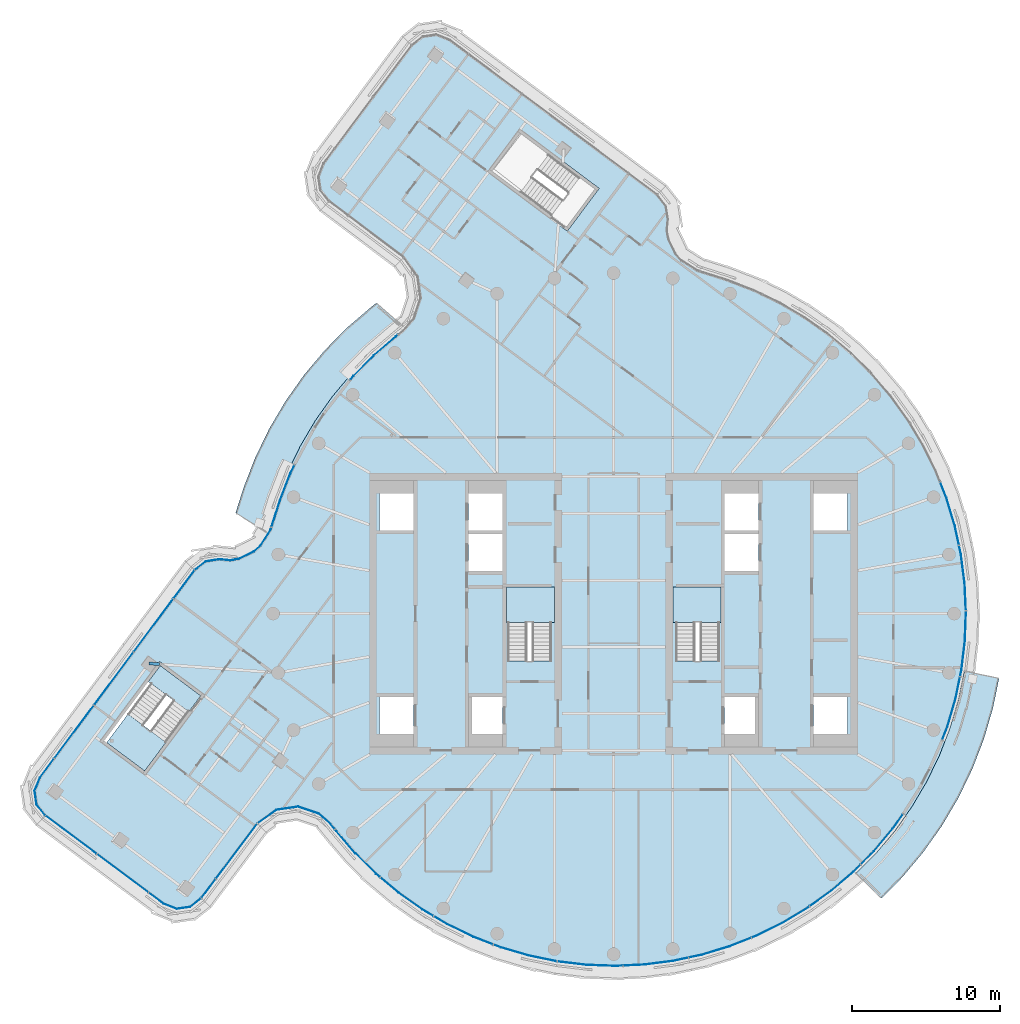
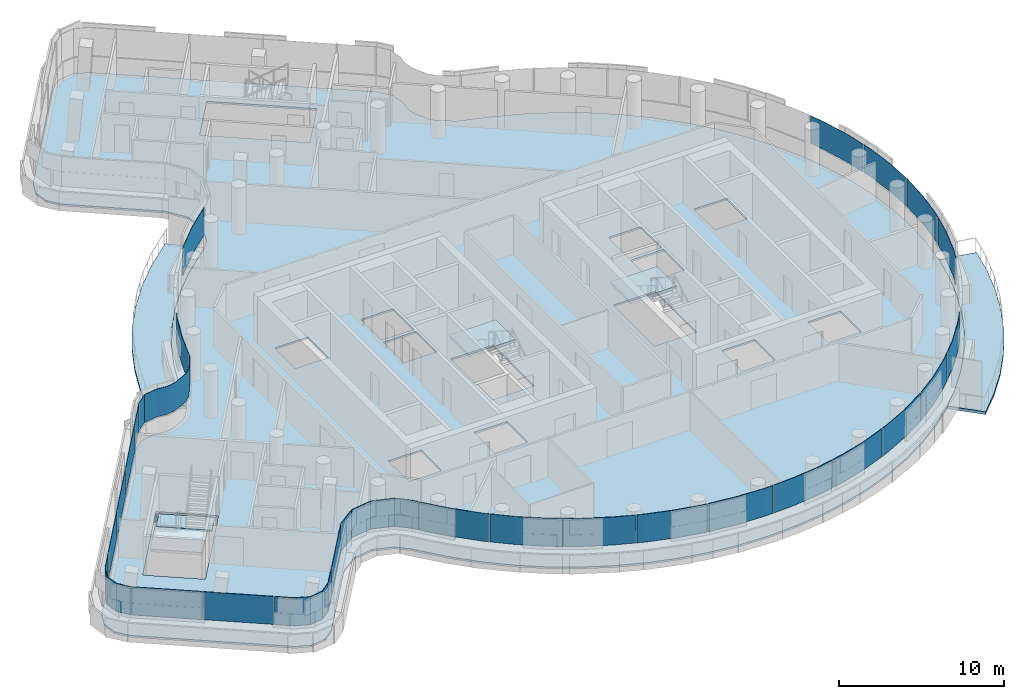
# One storey, part 15 of 27: 28 plates, 7 slabs, 1 beam, 8 elements without a shape of their own.
"""IFC4 building model written with IfcOpenShell, lengths in metres."""

from ifc_helpers import new_model, si_unit, direction, frame, origin, origin_2d, place, context, subcontext, project, spatial, polyline, i_section, outline, extrude, material, layer, layer_set, material_profile, profile_set, type_object, element, aggregate, save


model = new_model("IFC4")

# Units and contexts
model_context = context("Model", 3, precision=1e-05, world=origin(), true_north=direction((0.0, 1.0)))
body_context = subcontext(model_context, "Body", "Model", "MODEL_VIEW")
ifc_project = project(units=[si_unit("LENGTHUNIT", "METRE"), si_unit("AREAUNIT", "SQUARE_METRE"), si_unit("VOLUMEUNIT", "CUBIC_METRE"), si_unit("PLANEANGLEUNIT", "RADIAN"), si_unit("MASSUNIT", "GRAM", prefix="KILO")], contexts=[model_context])

# Site, building, storey
site_placement = place(None, origin())
site = spatial("IfcSite", under=ifc_project, at=site_placement, CompositionType="ELEMENT")
building_placement = place(site_placement, origin())
building = spatial("IfcBuilding", under=site, at=building_placement, Name="Tamarind Cross Interchange Tower", CompositionType="ELEMENT")
storey_placement = place(building_placement, frame((0.0, 0.0, 227.10009765625)))
storey = spatial("IfcBuildingStorey", under=building, at=storey_placement, Name="L57", CompositionType="ELEMENT", Elevation=227.10009765625)

# Beam
ifc_material_1 = material(Name="Steel Q355B", Category="steel")
ifc_material_profile = material_profile(ifc_material_1, i_section(OverallWidth=0.198974609375, OverallDepth=0.446044921875, WebThickness=0.008056640625, FlangeThickness=0.011962890625, FilletRadius=0.012939453125, at=origin_2d()), Name="HN 446x199x8x12")
ifc_profile_set = profile_set([ifc_material_profile], Name="Steel Q355B")
beam_type = type_object("IfcBeamType", Name="Composite beam HN 446x199x8x12 Q355B", PredefinedType="BEAM", material=ifc_profile_set)
beam_placement = place(storey_placement, frame((-31.370849609375, -3.365234375, -0.363037109375), z_axis=(0.997390840219, -0.072190801682, 0.0), x_axis=(0.072190801682, 0.997390840219, 0.0)))
element("IfcBeam", 1, at=beam_placement, inside=storey, type_object=beam_type, Name="Beam W-linkemt0", PredefinedType="BEAM", context=body_context, shape_type="SweptSolid", body=[
    extrude(i_section(OverallWidth=0.198974609375, OverallDepth=0.446044921875, WebThickness=0.008056640625, FlangeThickness=0.011962890625, FilletRadius=0.012939453125, at=origin_2d()), origin(), (0.0, 0.0, 1.0), 0.717041015625),
])

# Slabs
ifc_material_2 = material(Name="Precast concrete C40", Category="concrete")
ifc_layer_1 = layer(ifc_material_2, 0.199951171875)
ifc_layer_set_1 = layer_set([ifc_layer_1], Name="Precast concrete C40")
slab_type_1 = type_object("IfcSlabType", Name="Balcony slab", PredefinedType="BASESLAB", material=ifc_layer_set_1)
slab_1_placement = place(storey_placement, frame((0.0, 0.0, -0.2001953125)))
element("IfcSlab", 2, at=slab_1_placement, inside=storey, type_object=slab_type_1, Name="SLB-L57-BAL02", PredefinedType="BASESLAB", context=body_context, shape_type="SweptSolid", body=[
    extrude(outline(polyline([(16.37939453125, -17.5322265625), (17.72412109375, -16.17578125), (18.99951171875, -14.656982421875), (20.14501953125, -13.0380859375), (21.15283203125, -11.329833984375), (22.01611328125, -9.54443359375), (22.72900390625, -7.69384765625), (23.286865234375, -5.79052734375), (23.677001953125, -3.88916015625), (26.028076171875, -4.37158203125), (25.617919921875, -6.3701171875), (25.00439453125, -8.4638671875), (24.219970703125, -10.499755859375), (23.270263671875, -12.464111328125), (22.161376953125, -14.343017578125), (20.9013671875, -16.124267578125), (19.498291015625, -17.795166015625), (18.083740234375, -19.221923828125), (16.37939453125, -17.5322265625)])), origin(), (0.0, 0.0, 1.0), 0.2001953125),
])
slab_2_placement = place(storey_placement, frame((0.0, 0.0, -0.2001953125)))
element("IfcSlab", 3, at=slab_2_placement, inside=storey, type_object=slab_type_1, Name="SLB-L57-BAL06", PredefinedType="BASESLAB", context=body_context, shape_type="SweptSolid", body=[
    extrude(outline(polyline([(-14.216796875, 19.411376953125), (-14.36376953125, 19.242431640625), (-14.820068359375, 18.87255859375), (-16.327880859375, 17.584228515625), (-17.72412109375, 16.17578125), (-18.99951171875, 14.656982421875), (-20.14501953125, 13.0380859375), (-21.15283203125, 11.329833984375), (-22.01611328125, 9.54443359375), (-22.72900390625, 7.694091796875), (-23.34619140625, 5.749755859375), (-23.489990234375, 5.523193359375), (-25.51611328125, 6.809326171875), (-25.539306640625, 6.772705078125), (-24.99462890625, 8.4892578125), (-24.219970703125, 10.499755859375), (-23.270263671875, 12.464111328125), (-22.161376953125, 14.343017578125), (-20.9013671875, 16.124267578125), (-19.498291015625, 17.795166015625), (-17.96240234375, 19.344482421875), (-16.35546875, 20.71728515625), (-16.03759765625, 20.97509765625), (-16.028076171875, 20.986083984375), (-14.216796875, 19.411376953125)])), origin(), (0.0, 0.0, 1.0), 0.2001953125),
])
ifc_material_3 = material(Name="Concrete C35", Category="concrete")
ifc_layer_2 = layer(ifc_material_3, 0.139892578125)
ifc_layer_set_2 = layer_set([ifc_layer_2], Name="Concrete C35")
slab_type_2 = type_object("IfcSlabType", Name="Composite slab 140 Concrete C35", PredefinedType="FLOOR", material=ifc_layer_set_2)
slab_3_placement = place(storey_placement, frame((0.0, 0.0, -0.14013671875)))
element("IfcSlab", 4, at=slab_3_placement, inside=storey, type_object=slab_type_2, Name="Floor slab L57", PredefinedType="FLOOR", context=body_context, shape_type="SweptSolid", body=[
    extrude(outline(polyline([(-27.6396484375, 3.711181640625), (-28.4384765625, 3.07568359375), (-38.92529296875, -10.9853515625), (-39.30810546875, -11.947265625), (-39.158935546875, -12.9716796875), (-38.517578125, -13.7841796875), (-30.50146484375, -19.7626953125), (-29.53955078125, -20.145751953125), (-28.51513671875, -19.99658203125), (-27.702392578125, -19.35498046875), (-23.90966796875, -14.315185546875), (-22.6962890625, -13.443115234375), (-21.3349609375, -13.24169921875), (-20.0302734375, -13.678955078125), (-19.242431640625, -14.36376953125), (-18.87255859375, -14.820068359375), (-17.584228515625, -16.327880859375), (-16.17578125, -17.72412109375), (-14.656982421875, -18.99951171875), (-13.0380859375, -20.14501953125), (-11.329833984375, -21.15283203125), (-9.54443359375, -22.01611328125), (-7.693603515625, -22.72900390625), (-5.79052734375, -23.286865234375), (-3.84765625, -23.685546875), (-1.878662109375, -23.92236328125), (0.103271484375, -23.99560546875), (2.08447265625, -23.9052734375), (4.051513671875, -23.651611328125), (5.99072265625, -23.236083984375), (7.88916015625, -22.662109375), (9.7333984375, -21.93310546875), (11.511474609375, -21.054443359375), (13.2109375, -20.031982421875), (14.820068359375, -18.87255859375), (16.327880859375, -17.584228515625), (17.72412109375, -16.17578125), (18.99951171875, -14.656982421875), (20.14501953125, -13.0380859375), (21.15283203125, -11.329833984375), (22.01611328125, -9.54443359375), (22.72900390625, -7.693603515625), (23.286865234375, -5.79052734375), (23.685546875, -3.84765625), (23.92236328125, -1.878662109375), (23.99560546875, 0.103271484375), (23.9052734375, 2.08447265625), (23.651611328125, 4.051513671875), (23.236083984375, 5.99072265625), (22.662109375, 7.88916015625), (21.93310546875, 9.7333984375), (21.054443359375, 11.511474609375), (20.031982421875, 13.2109375), (18.87255859375, 14.820068359375), (17.584228515625, 16.327880859375), (16.17578125, 17.72412109375), (14.656982421875, 18.99951171875), (13.0380859375, 20.14501953125), (11.329833984375, 21.15283203125), (9.54443359375, 22.01611328125), (7.694091796875, 22.72900390625), (5.74951171875, 23.34619140625), (4.71728515625, 24.00146484375), (4.360595703125, 24.4013671875), (3.88818359375, 25.37548828125), (3.795166015625, 25.9033203125), (3.86962890625, 26.631103515625), (3.711181640625, 27.6396484375), (3.07568359375, 28.4384765625), (-10.9853515625, 38.92529296875), (-11.947265625, 39.30810546875), (-12.9716796875, 39.158935546875), (-13.7841796875, 38.517578125), (-19.7626953125, 30.50146484375), (-20.145751953125, 29.53955078125), (-19.99658203125, 28.51513671875), (-19.35498046875, 27.702392578125), (-14.315185546875, 23.90966796875), (-13.443115234375, 22.6962890625), (-13.24169921875, 21.3349609375), (-13.678955078125, 20.0302734375), (-14.36376953125, 19.242431640625), (-14.820068359375, 18.87255859375), (-16.327880859375, 17.584228515625), (-17.72412109375, 16.17578125), (-18.99951171875, 14.656982421875), (-20.14501953125, 13.0380859375), (-21.15283203125, 11.329833984375), (-22.01611328125, 9.54443359375), (-22.72900390625, 7.694091796875), (-23.34619140625, 5.74951171875), (-24.00146484375, 4.71728515625), (-24.4013671875, 4.360595703125), (-25.37548828125, 3.88818359375), (-25.9033203125, 3.795166015625), (-26.631103515625, 3.86962890625), (-27.6396484375, 3.711181640625)]), holes=[polyline([(-34.684814453125, -8.62841796875), (-30.658203125, -3.229248046875), (-30.497802734375, -3.348876953125), (-27.764404296875, -5.387451171875), (-27.60400390625, -5.507080078125), (-31.630615234375, -10.906005859375), (-31.791015625, -10.78662109375), (-34.5244140625, -8.747802734375), (-34.684814453125, -8.62841796875)]), polyline([(-13.5, -8.125), (-15.800048828125, -8.125), (-15.800048828125, -5.625), (-13.5, -5.625), (-13.5, -8.125)]), polyline([(-7.5, -8.125), (-9.800048828125, -8.125), (-9.800048828125, -5.625), (-7.5, -5.625), (-7.5, -8.125)]), polyline([(-7.5, 2.875), (-9.800048828125, 2.875), (-9.800048828125, 5.375), (-7.5, 5.375), (-7.5, 2.875)]), polyline([(-13.5, 8.125), (-13.5, 5.625), (-15.800048828125, 5.625), (-15.800048828125, 8.125), (-13.5, 8.125)]), polyline([(-7.5, 5.625), (-9.800048828125, 5.625), (-9.800048828125, 8.125), (-7.5, 8.125), (-7.5, 5.625)]), polyline([(-5.8876953125, 32.37890625), (-0.97802734375, 28.71728515625), (-1.09765625, 28.55712890625), (-3.0107421875, 25.991943359375), (-3.13037109375, 25.83154296875), (-8.501220703125, 29.837158203125), (-8.381591796875, 29.997314453125), (-6.468505859375, 32.5625), (-6.34912109375, 32.722900390625), (-6.1201171875, 32.552001953125), (-6.11669921875, 32.556396484375), (-5.8876953125, 32.37890625)]), polyline([(7.5, -8.125), (7.5, -5.625), (9.800048828125, -5.625), (9.800048828125, -8.125), (7.5, -8.125)]), polyline([(13.5, -8.125), (13.5, -5.625), (15.800048828125, -5.625), (15.800048828125, -8.125), (13.5, -8.125)]), polyline([(-7.14990234375, 1.800048828125), (-4.199951171875, 1.800048828125), (-4.199951171875, -3.18798828125), (-7.14990234375, -3.18798828125), (-7.14990234375, 1.800048828125)]), polyline([(7.14990234375, 1.800048828125), (7.14990234375, -3.18798828125), (4.199951171875, -3.18798828125), (4.199951171875, 1.800048828125), (7.14990234375, 1.800048828125)]), polyline([(7.5, 5.375), (9.800048828125, 5.375), (9.800048828125, 2.875), (7.5, 2.875), (7.5, 5.375)]), polyline([(7.5, 5.625), (7.5, 8.125), (9.800048828125, 8.125), (9.800048828125, 5.625), (7.5, 5.625)]), polyline([(13.5, 8.125), (15.800048828125, 8.125), (15.800048828125, 5.625), (13.5, 5.625), (13.5, 8.125)])]), origin(), (0.0, 0.0, 1.0), 0.14013671875),
])
slab_4_placement = place(storey_placement, frame((0.0, 0.0, -0.14013671875)))
element("IfcSlab", 5, at=slab_4_placement, inside=storey, type_object=slab_type_2, Name="Floor slab L57", PredefinedType="FLOOR", context=body_context, shape_type="SweptSolid", body=[
    extrude(outline(polyline([(-27.8837890625, -5.547607421875), (-30.617431640625, -3.509033203125), (-31.4228515625, -4.589111328125), (-28.689208984375, -6.627685546875), (-27.8837890625, -5.547607421875)])), origin(), (0.0, 0.0, 1.0), 0.14013671875),
])

# Stair, slab
ifc_material_4 = material(Name="Exit stair")
stair_type = type_object("IfcStairType", Name="Exit stair", PredefinedType="HALF_TURN_STAIR", material=ifc_material_4)
stair_1_placement = place(storey_placement, origin())
stair_1 = element("IfcStair", 6, at=stair_1_placement, inside=storey, type_object=stair_type, Name="L57 exit stair ST1", PredefinedType="HALF_TURN_STAIR")
ifc_material_5 = material(Name="Concrete C40", Category="concrete")
ifc_layer_3 = layer(ifc_material_5, 0.199951171875)
ifc_layer_set_3 = layer_set([ifc_layer_3], Name="Concrete C40")
slab_type_3 = type_object("IfcSlabType", Name="Stair landing", PredefinedType="LANDING", material=ifc_layer_set_3)
slab_5_placement = place(storey_placement, frame((0.0, 0.0, 1.599853515625)))
slab_5 = element("IfcSlab", 7, at=slab_5_placement, type_object=slab_type_3, Name="ST1 landing 1", PredefinedType="LANDING", context=body_context, shape_type="SweptSolid", body=[
    extrude(outline(polyline([(-4.0, -0.60009765625), (-4.0, 1.800048828125), (-7.25, 1.800048828125), (-7.25, -0.60009765625), (-4.0, -0.60009765625)])), origin(), (0.0, 0.0, 1.0), 0.199951171875),
])
aggregate(stair_1, [slab_5])

stair_2_placement = place(storey_placement, origin())
stair_2 = element("IfcStair", 8, at=stair_2_placement, inside=storey, type_object=stair_type, Name="L57 exit stair ST2", PredefinedType="HALF_TURN_STAIR")
slab_6_placement = place(storey_placement, frame((0.0, 0.0, 1.599853515625)))
slab_6 = element("IfcSlab", 9, at=slab_6_placement, type_object=slab_type_3, Name="ST2 landing 1", PredefinedType="LANDING", context=body_context, shape_type="SweptSolid", body=[
    extrude(outline(polyline([(7.25, -0.60009765625), (7.25, 1.800048828125), (4.0, 1.800048828125), (4.0, -0.60009765625), (7.25, -0.60009765625)])), origin(), (0.0, 0.0, 1.0), 0.199951171875),
])
aggregate(stair_2, [slab_6])

stair_3_placement = place(storey_placement, origin())
stair_3 = element("IfcStair", 10, at=stair_3_placement, inside=storey, type_object=stair_type, Name="L57 exit stair ST5", PredefinedType="HALF_TURN_STAIR")
slab_7_placement = place(storey_placement, frame((0.0, 0.0, 1.599853515625)))
slab_7 = element("IfcSlab", 11, at=slab_7_placement, type_object=slab_type_3, Name="ST5 landing 1", PredefinedType="LANDING", context=body_context, shape_type="SweptSolid", body=[
    extrude(outline(polyline([(-32.79443359375, -6.779541015625), (-34.236572265625, -8.713134765625), (-31.67138671875, -10.626220703125), (-30.229248046875, -8.692626953125), (-32.79443359375, -6.779541015625)])), origin(), (0.0, 0.0, 1.0), 0.199951171875),
])
aggregate(stair_3, [slab_7])

# Curtain wall, plates
ifc_material_6 = material(Name="Aluminium 6063-T6", Category="aluminium")
ifc_layer_4 = layer(ifc_material_6, 0.139892578125)
ifc_layer_set_4 = layer_set([ifc_layer_4], Name="Aluminium 6063-T6")
curtain_wall_type = type_object("IfcCurtainWallType", Name="Hotel curtain wall, 4.5 m bays", PredefinedType="NOTDEFINED", material=ifc_layer_set_4)
curtain_wall_1_placement = place(storey_placement, origin())
curtain_wall_1 = element("IfcCurtainWall", 12, at=curtain_wall_1_placement, inside=storey, type_object=curtain_wall_type, Name="CWS-L57-00", PredefinedType="NOTDEFINED")
ifc_material_7 = material(Name="Laminated low-e glass 6+1.52+6", Category="glass")
ifc_layer_5 = layer(ifc_material_7, 0.02392578125)
ifc_layer_set_5 = layer_set([ifc_layer_5], Name="Laminated low-e glass 6+1.52+6")
plate_type = type_object("IfcPlateType", Name="Vision panel CW2", PredefinedType="CURTAIN_PANEL", material=ifc_layer_set_5)
plate_1_placement = place(storey_placement, frame((0.0, 0.0, 1.39990234375)))
plate_1 = element("IfcPlate", 13, at=plate_1_placement, type_object=plate_type, Name="CWP-L57-00-00", PredefinedType="CURTAIN_PANEL", context=body_context, shape_type="SweptSolid", body=[
    extrude(outline(polyline([(-38.345703125, -13.64794921875), (-34.910400390625, -16.210205078125), (-34.924560546875, -16.2294921875), (-38.360107421875, -13.667236328125), (-38.345703125, -13.64794921875)])), origin(), (0.0, 0.0, 1.0), 2.06005859375),
])
plate_2_placement = place(storey_placement, frame((0.0, 0.0, 1.39990234375)))
plate_2 = element("IfcPlate", 14, at=plate_2_placement, type_object=plate_type, Name="CWP-L57-00-01", PredefinedType="CURTAIN_PANEL", context=body_context, shape_type="SweptSolid", body=[
    extrude(outline(polyline([(-34.8623046875, -16.24609375), (-31.4267578125, -18.80810546875), (-31.441162109375, -18.827392578125), (-34.87646484375, -16.26513671875), (-34.8623046875, -16.24609375)])), origin(), (0.0, 0.0, 1.0), 2.06005859375),
])
plate_3_placement = place(storey_placement, frame((0.0, 0.0, 1.39990234375)))
plate_3 = element("IfcPlate", 15, at=plate_3_placement, type_object=plate_type, Name="CWP-L57-00-02", PredefinedType="CURTAIN_PANEL", context=body_context, shape_type="SweptSolid", body=[
    extrude(outline(polyline([(-31.378662109375, -18.843994140625), (-30.39697265625, -19.576171875), (-29.513916015625, -19.927734375), (-28.601806640625, -19.794921875), (-27.877685546875, -19.223388671875), (-27.86279296875, -19.2421875), (-28.592041015625, -19.81787109375), (-29.516845703125, -19.952392578125), (-30.408935546875, -19.59716796875), (-31.39306640625, -18.86328125), (-31.378662109375, -18.843994140625)])), origin(), (0.0, 0.0, 1.0), 2.06005859375),
])
aggregate(curtain_wall_1, [plate_1, plate_2, plate_3])

curtain_wall_2_placement = place(storey_placement, origin())
curtain_wall_2 = element("IfcCurtainWall", 16, at=curtain_wall_2_placement, inside=storey, type_object=curtain_wall_type, Name="CWS-L57-01", PredefinedType="NOTDEFINED")
plate_4_placement = place(storey_placement, frame((0.0, 0.0, 1.39990234375)))
plate_4 = element("IfcPlate", 17, at=plate_4_placement, type_object=plate_type, Name="CWP-L57-01-00", PredefinedType="CURTAIN_PANEL", context=body_context, shape_type="SweptSolid", body=[
    extrude(outline(polyline([(-27.83837890625, -19.18310546875), (-26.896728515625, -17.931884765625), (-26.877685546875, -17.9462890625), (-27.819091796875, -19.197509765625), (-27.83837890625, -19.18310546875)])), origin(), (0.0, 0.0, 1.0), 2.06005859375),
])
plate_5_placement = place(storey_placement, frame((0.0, 0.0, 1.39990234375)))
plate_5 = element("IfcPlate", 18, at=plate_5_placement, type_object=plate_type, Name="CWP-L57-01-01", PredefinedType="CURTAIN_PANEL", context=body_context, shape_type="SweptSolid", body=[
    extrude(outline(polyline([(-26.860595703125, -17.884033203125), (-24.078857421875, -14.1875), (-24.0595703125, -14.201904296875), (-26.841552734375, -17.8984375), (-26.860595703125, -17.884033203125)])), origin(), (0.0, 0.0, 1.0), 2.06005859375),
])
aggregate(curtain_wall_2, [plate_4, plate_5])

curtain_wall_3_placement = place(storey_placement, origin())
curtain_wall_3 = element("IfcCurtainWall", 19, at=curtain_wall_3_placement, inside=storey, type_object=curtain_wall_type, Name="CWS-L57-02", PredefinedType="NOTDEFINED")
plate_6_placement = place(storey_placement, frame((0.0, 0.0, 1.39990234375)))
plate_6 = element("IfcPlate", 20, at=plate_6_placement, type_object=plate_type, Name="CWP-L57-02-00", PredefinedType="CURTAIN_PANEL", context=body_context, shape_type="SweptSolid", body=[
    extrude(outline(polyline([(-24.03369140625, -14.1435546875), (-22.7783203125, -13.240966796875), (-21.315673828125, -13.024658203125), (-19.9228515625, -13.4912109375), (-19.08935546875, -14.2158203125), (-18.83740234375, -14.52685546875), (-18.85595703125, -14.5419921875), (-19.106689453125, -14.232666015625), (-19.93505859375, -13.512451171875), (-21.31787109375, -13.049072265625), (-22.76904296875, -13.263916015625), (-24.019775390625, -14.162841796875), (-24.03369140625, -14.1435546875)])), origin(), (0.0, 0.0, 1.0), 2.06005859375),
])
plate_7_placement = place(storey_placement, frame((0.0, 0.0, 1.39990234375)))
plate_7 = element("IfcPlate", 21, at=plate_7_placement, type_object=plate_type, Name="CWP-L57-02-01", PredefinedType="CURTAIN_PANEL", context=body_context, shape_type="SweptSolid", body=[
    extrude(outline(polyline([(-18.799560546875, -14.5732421875), (-18.709716796875, -14.684326171875), (-17.4287109375, -16.183349609375), (-16.032958984375, -17.5673828125), (-15.77587890625, -17.783203125), (-15.791259765625, -17.8017578125), (-16.049072265625, -17.585205078125), (-17.4462890625, -16.19970703125), (-18.72802734375, -14.69970703125), (-18.818359375, -14.58837890625), (-18.799560546875, -14.5732421875)])), origin(), (0.0, 0.0, 1.0), 2.06005859375),
])
plate_8_placement = place(storey_placement, frame((0.0, 0.0, 1.39990234375)))
plate_8 = element("IfcPlate", 22, at=plate_8_placement, type_object=plate_type, Name="CWP-L57-02-02", PredefinedType="CURTAIN_PANEL", context=body_context, shape_type="SweptSolid", body=[
    extrude(outline(polyline([(-15.729736328125, -17.82177734375), (-14.52734375, -18.83154296875), (-12.922607421875, -19.966796875), (-12.173828125, -20.40869140625), (-12.18603515625, -20.42919921875), (-12.935791015625, -19.987060546875), (-14.5419921875, -18.850341796875), (-15.745361328125, -17.84033203125), (-15.729736328125, -17.82177734375)])), origin(), (0.0, 0.0, 1.0), 2.06005859375),
])
plate_9_placement = place(storey_placement, frame((0.0, 0.0, 1.39990234375)))
plate_9 = element("IfcPlate", 23, at=plate_9_placement, type_object=plate_type, Name="CWP-L57-02-03", PredefinedType="CURTAIN_PANEL", context=body_context, shape_type="SweptSolid", body=[
    extrude(outline(polyline([(-12.122314453125, -20.439208984375), (-11.229736328125, -20.9658203125), (-9.4599609375, -21.821533203125), (-8.150634765625, -22.325927734375), (-8.1591796875, -22.348388671875), (-9.469482421875, -21.843505859375), (-11.240966796875, -20.98681640625), (-12.134521484375, -20.459716796875), (-12.122314453125, -20.439208984375)])), origin(), (0.0, 0.0, 1.0), 2.06005859375),
])
plate_10_placement = place(storey_placement, frame((0.0, 0.0, 1.39990234375)))
plate_10 = element("IfcPlate", 24, at=plate_10_placement, type_object=plate_type, Name="CWP-L57-02-04", PredefinedType="CURTAIN_PANEL", context=body_context, shape_type="SweptSolid", body=[
    extrude(outline(polyline([(-8.0947265625, -22.347412109375), (-7.625732421875, -22.528076171875), (-5.7392578125, -23.080810546875), (-3.842529296875, -23.47021484375), (-3.847412109375, -23.49365234375), (-5.7451171875, -23.104248046875), (-7.63330078125, -22.55078125), (-8.103271484375, -22.369873046875), (-8.0947265625, -22.347412109375)])), origin(), (0.0, 0.0, 1.0), 2.06005859375),
])
plate_11_placement = place(storey_placement, frame((0.0, 0.0, 1.39990234375)))
plate_11 = element("IfcPlate", 25, at=plate_11_placement, type_object=plate_type, Name="CWP-L57-02-05", PredefinedType="CURTAIN_PANEL", context=body_context, shape_type="SweptSolid", body=[
    extrude(outline(polyline([(-3.784423828125, -23.4794921875), (-1.862060546875, -23.710693359375), (0.102294921875, -23.783447265625), (0.60498046875, -23.760498046875), (0.60595703125, -23.78466796875), (0.1025390625, -23.8076171875), (-1.864013671875, -23.734619140625), (-3.787109375, -23.50341796875), (-3.784423828125, -23.4794921875)])), origin(), (0.0, 0.0, 1.0), 2.06005859375),
])
plate_12_placement = place(storey_placement, frame((0.0, 0.0, 1.39990234375)))
plate_12 = element("IfcPlate", 26, at=plate_12_placement, type_object=plate_type, Name="CWP-L57-02-06", PredefinedType="CURTAIN_PANEL", context=body_context, shape_type="SweptSolid", body=[
    extrude(outline(polyline([(0.6650390625, -23.7578125), (2.06591796875, -23.69384765625), (4.015625, -23.4423828125), (5.029541015625, -23.22509765625), (5.03466796875, -23.24853515625), (4.019775390625, -23.466064453125), (2.068115234375, -23.7177734375), (0.666015625, -23.78173828125), (0.6650390625, -23.7578125)])), origin(), (0.0, 0.0, 1.0), 2.06005859375),
])
plate_13_placement = place(storey_placement, frame((0.0, 0.0, 1.39990234375)))
plate_13 = element("IfcPlate", 27, at=plate_13_placement, type_object=plate_type, Name="CWP-L57-02-07", PredefinedType="CURTAIN_PANEL", context=body_context, shape_type="SweptSolid", body=[
    extrude(outline(polyline([(5.088134765625, -23.212646484375), (5.937744140625, -23.03076171875), (7.8193359375, -22.461669921875), (9.280029296875, -21.88427734375), (9.288818359375, -21.90673828125), (7.8271484375, -22.484375), (5.94384765625, -23.053955078125), (5.09326171875, -23.236083984375), (5.088134765625, -23.212646484375)])), origin(), (0.0, 0.0, 1.0), 2.06005859375),
])
plate_14_placement = place(storey_placement, frame((0.0, 0.0, 1.39990234375)))
plate_14 = element("IfcPlate", 28, at=plate_14_placement, type_object=plate_type, Name="CWP-L57-02-08", PredefinedType="CURTAIN_PANEL", context=body_context, shape_type="SweptSolid", body=[
    extrude(outline(polyline([(9.3359375, -21.8623046875), (9.6474609375, -21.7392578125), (11.40966796875, -20.868408203125), (13.093994140625, -19.854736328125), (13.205322265625, -19.774658203125), (13.21923828125, -19.794189453125), (13.107177734375, -19.874755859375), (11.421142578125, -20.889404296875), (9.6572265625, -21.76123046875), (9.3447265625, -21.884765625), (9.3359375, -21.8623046875)])), origin(), (0.0, 0.0, 1.0), 2.06005859375),
])
plate_15_placement = place(storey_placement, frame((0.0, 0.0, 1.39990234375)))
plate_15 = element("IfcPlate", 29, at=plate_15_placement, type_object=plate_type, Name="CWP-L57-02-09", PredefinedType="CURTAIN_PANEL", context=body_context, shape_type="SweptSolid", body=[
    extrude(outline(polyline([(13.25390625, -19.739501953125), (14.68896484375, -18.705810546875), (16.183349609375, -17.4287109375), (16.65576171875, -16.952392578125), (16.6728515625, -16.969482421875), (16.19970703125, -17.4462890625), (14.703857421875, -18.724609375), (13.26806640625, -19.759033203125), (13.25390625, -19.739501953125)])), origin(), (0.0, 0.0, 1.0), 2.06005859375),
])
plate_16_placement = place(storey_placement, frame((0.0, 0.0, 1.39990234375)))
plate_16 = element("IfcPlate", 30, at=plate_16_placement, type_object=plate_type, Name="CWP-L57-02-10", PredefinedType="CURTAIN_PANEL", context=body_context, shape_type="SweptSolid", body=[
    extrude(outline(polyline([(16.697998046875, -16.909912109375), (17.5673828125, -16.032958984375), (18.83154296875, -14.52734375), (19.527099609375, -13.5439453125), (19.546630859375, -13.557861328125), (18.850341796875, -14.5419921875), (17.585205078125, -16.049072265625), (16.715087890625, -16.9267578125), (16.697998046875, -16.909912109375)])), origin(), (0.0, 0.0, 1.0), 2.06005859375),
])
plate_17_placement = place(storey_placement, frame((0.0, 0.0, 1.39990234375)))
plate_17 = element("IfcPlate", 31, at=plate_17_placement, type_object=plate_type, Name="CWP-L57-02-12", PredefinedType="CURTAIN_PANEL", context=body_context, shape_type="SweptSolid", body=[
    extrude(outline(polyline([(22.185302734375, -8.515869140625), (22.528076171875, -7.625732421875), (23.080810546875, -5.7392578125), (23.37939453125, -4.283935546875), (23.403076171875, -4.288818359375), (23.104248046875, -5.7451171875), (22.55078125, -7.63330078125), (22.20751953125, -8.5244140625), (22.185302734375, -8.515869140625)])), origin(), (0.0, 0.0, 1.0), 2.06005859375),
])
plate_18_placement = place(storey_placement, frame((0.0, 0.0, 1.39990234375)))
plate_18 = element("IfcPlate", 32, at=plate_18_placement, type_object=plate_type, Name="CWP-L57-02-13", PredefinedType="CURTAIN_PANEL", context=body_context, shape_type="SweptSolid", body=[
    extrude(outline(polyline([(23.3916015625, -4.225341796875), (23.47607421875, -3.813720703125), (23.710693359375, -1.862060546875), (23.783447265625, 0.102294921875), (23.78125, 0.154296875), (23.80517578125, 0.155517578125), (23.8076171875, 0.1025390625), (23.734619140625, -1.864013671875), (23.499755859375, -3.817626953125), (23.4150390625, -4.22998046875), (23.3916015625, -4.225341796875)])), origin(), (0.0, 0.0, 1.0), 2.06005859375),
])
plate_19_placement = place(storey_placement, frame((0.0, 0.0, 1.39990234375)))
plate_19 = element("IfcPlate", 33, at=plate_19_placement, type_object=plate_type, Name="CWP-L57-02-14", PredefinedType="CURTAIN_PANEL", context=body_context, shape_type="SweptSolid", body=[
    extrude(outline(polyline([(23.7783203125, 0.21435546875), (23.69384765625, 2.06591796875), (23.4423828125, 4.015625), (23.319580078125, 4.588134765625), (23.34326171875, 4.59326171875), (23.466064453125, 4.019775390625), (23.7177734375, 2.068115234375), (23.802490234375, 0.21533203125), (23.7783203125, 0.21435546875)])), origin(), (0.0, 0.0, 1.0), 2.06005859375),
])
plate_20_placement = place(storey_placement, frame((0.0, 0.0, 1.39990234375)))
plate_20 = element("IfcPlate", 34, at=plate_20_placement, type_object=plate_type, Name="CWP-L57-02-15", PredefinedType="CURTAIN_PANEL", context=body_context, shape_type="SweptSolid", body=[
    extrude(outline(polyline([(23.30712890625, 4.64697265625), (23.03076171875, 5.937744140625), (22.461669921875, 7.8193359375), (22.05029296875, 8.8603515625), (22.072509765625, 8.869140625), (22.484375, 7.8271484375), (23.053955078125, 5.94384765625), (23.33056640625, 4.65185546875), (23.30712890625, 4.64697265625)])), origin(), (0.0, 0.0, 1.0), 2.06005859375),
])
aggregate(curtain_wall_3, [plate_6, plate_7, plate_8, plate_9, plate_10, plate_11, plate_12, plate_13, plate_14, plate_15, plate_16, plate_17, plate_18, plate_19, plate_20])

curtain_wall_4_placement = place(storey_placement, origin())
curtain_wall_4 = element("IfcCurtainWall", 35, at=curtain_wall_4_placement, inside=storey, type_object=curtain_wall_type, Name="CWS-L57-06", PredefinedType="NOTDEFINED")
plate_21_placement = place(storey_placement, frame((0.0, 0.0, 1.39990234375)))
plate_21 = element("IfcPlate", 36, at=plate_21_placement, type_object=plate_type, Name="CWP-L57-06-01", PredefinedType="CURTAIN_PANEL", context=body_context, shape_type="SweptSolid", body=[
    extrude(outline(polyline([(-14.5732421875, 18.799560546875), (-14.684326171875, 18.709716796875), (-16.183349609375, 17.4287109375), (-17.5673828125, 16.032958984375), (-17.783203125, 15.77587890625), (-17.8017578125, 15.791259765625), (-17.585205078125, 16.049072265625), (-16.19970703125, 17.4462890625), (-14.69970703125, 18.72802734375), (-14.58837890625, 18.818359375), (-14.5732421875, 18.799560546875)])), origin(), (0.0, 0.0, 1.0), 2.06005859375),
])
plate_22_placement = place(storey_placement, frame((0.0, 0.0, 1.39990234375)))
plate_22 = element("IfcPlate", 37, at=plate_22_placement, type_object=plate_type, Name="CWP-L57-06-03", PredefinedType="CURTAIN_PANEL", context=body_context, shape_type="SweptSolid", body=[
    extrude(outline(polyline([(-21.552001953125, 10.01708984375), (-21.821533203125, 9.4599609375), (-22.52880859375, 7.623779296875), (-23.08984375, 5.856201171875), (-23.11279296875, 5.86328125), (-22.551513671875, 7.631591796875), (-21.843505859375, 9.469482421875), (-21.57373046875, 10.027587890625), (-21.552001953125, 10.01708984375)])), origin(), (0.0, 0.0, 1.0), 2.06005859375),
])
plate_23_placement = place(storey_placement, frame((0.0, 0.0, 1.39990234375)))
plate_23 = element("IfcPlate", 38, at=plate_23_placement, type_object=plate_type, Name="CWP-L57-06-04", PredefinedType="CURTAIN_PANEL", context=body_context, shape_type="SweptSolid", body=[
    extrude(outline(polyline([(-23.108154296875, 5.798828125), (-23.15234375, 5.6591796875), (-23.83837890625, 4.578857421875), (-24.282470703125, 4.182861328125), (-25.3095703125, 3.6845703125), (-25.895751953125, 3.581298828125), (-26.62548828125, 3.656005859375), (-27.55126953125, 3.510498046875), (-28.2626953125, 2.94482421875), (-28.277587890625, 2.963623046875), (-27.561279296875, 3.533203125), (-26.626220703125, 3.68017578125), (-25.896484375, 3.60546875), (-25.317138671875, 3.707763671875), (-24.2958984375, 4.202880859375), (-23.856689453125, 4.594482421875), (-23.17431640625, 5.66943359375), (-23.130859375, 5.80615234375), (-23.108154296875, 5.798828125)])), origin(), (0.0, 0.0, 1.0), 2.06005859375),
])
aggregate(curtain_wall_4, [plate_21, plate_22, plate_23])

curtain_wall_5_placement = place(storey_placement, origin())
curtain_wall_5 = element("IfcCurtainWall", 39, at=curtain_wall_5_placement, inside=storey, type_object=curtain_wall_type, Name="CWS-L57-07", PredefinedType="NOTDEFINED")
plate_24_placement = place(storey_placement, frame((0.0, 0.0, 1.39990234375)))
plate_24 = element("IfcPlate", 40, at=plate_24_placement, type_object=plate_type, Name="CWP-L57-07-00", PredefinedType="CURTAIN_PANEL", context=body_context, shape_type="SweptSolid", body=[
    extrude(outline(polyline([(-28.302001953125, 2.904296875), (-29.706298828125, 1.02099609375), (-29.7255859375, 1.035400390625), (-28.321044921875, 2.918701171875), (-28.302001953125, 2.904296875)])), origin(), (0.0, 0.0, 1.0), 2.06005859375),
])
plate_25_placement = place(storey_placement, frame((0.0, 0.0, 1.39990234375)))
plate_25 = element("IfcPlate", 41, at=plate_25_placement, type_object=plate_type, Name="CWP-L57-07-01", PredefinedType="CURTAIN_PANEL", context=body_context, shape_type="SweptSolid", body=[
    extrude(outline(polyline([(-29.7421875, 0.972900390625), (-32.388671875, -2.57568359375), (-32.407958984375, -2.561279296875), (-29.761474609375, 0.9873046875), (-29.7421875, 0.972900390625)])), origin(), (0.0, 0.0, 1.0), 2.06005859375),
])
plate_26_placement = place(storey_placement, frame((0.0, 0.0, 1.39990234375)))
plate_26 = element("IfcPlate", 42, at=plate_26_placement, type_object=plate_type, Name="CWP-L57-07-02", PredefinedType="CURTAIN_PANEL", context=body_context, shape_type="SweptSolid", body=[
    extrude(outline(polyline([(-32.424560546875, -2.623779296875), (-35.07080078125, -6.172119140625), (-35.090087890625, -6.15771484375), (-32.44384765625, -2.609375), (-32.424560546875, -2.623779296875)])), origin(), (0.0, 0.0, 1.0), 2.06005859375),
])
plate_27_placement = place(storey_placement, frame((0.0, 0.0, 1.39990234375)))
plate_27 = element("IfcPlate", 43, at=plate_27_placement, type_object=plate_type, Name="CWP-L57-07-03", PredefinedType="CURTAIN_PANEL", context=body_context, shape_type="SweptSolid", body=[
    extrude(outline(polyline([(-35.106689453125, -6.22021484375), (-37.753173828125, -9.7685546875), (-37.7724609375, -9.754150390625), (-35.1259765625, -6.205810546875), (-35.106689453125, -6.22021484375)])), origin(), (0.0, 0.0, 1.0), 2.06005859375),
])
plate_28_placement = place(storey_placement, frame((0.0, 0.0, 1.39990234375)))
plate_28 = element("IfcPlate", 44, at=plate_28_placement, type_object=plate_type, Name="CWP-L57-07-04", PredefinedType="CURTAIN_PANEL", context=body_context, shape_type="SweptSolid", body=[
    extrude(outline(polyline([(-37.7890625, -9.816650390625), (-38.738525390625, -11.08984375), (-39.09033203125, -11.972900390625), (-38.95751953125, -12.885009765625), (-38.385986328125, -13.608642578125), (-38.405029296875, -13.62353515625), (-38.980224609375, -12.894775390625), (-39.114990234375, -11.969970703125), (-38.759765625, -11.077880859375), (-37.808349609375, -9.80224609375), (-37.7890625, -9.816650390625)])), origin(), (0.0, 0.0, 1.0), 2.06005859375),
])
aggregate(curtain_wall_5, [plate_24, plate_25, plate_26, plate_27, plate_28])

save(model, "model.ifc")
